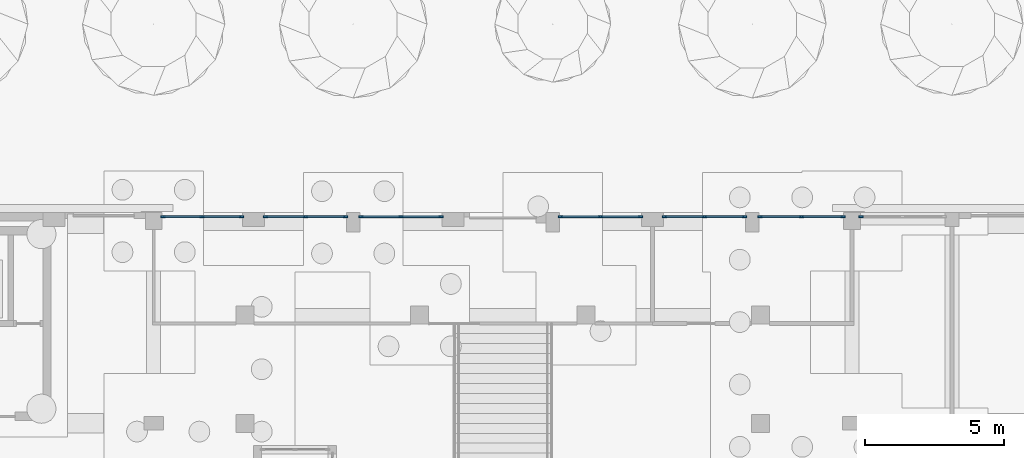
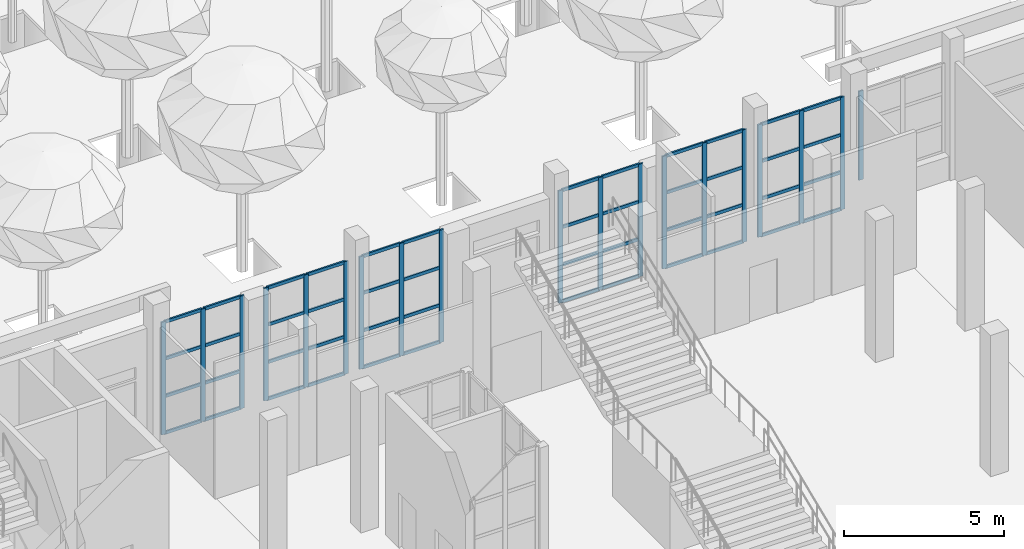
# One storey, part 14 of 80: 67 members, 7 elements without a shape of their own.
"""IFC4 building model written with IfcOpenShell, lengths in metres."""

import ifcopenshell
import ifcopenshell.guid

model = None  # the IFC model being written
_history = None  # IfcOwnerHistory: only IFC2X3 demands one
_inside = {}  # id of a spatial element -> (the spatial element, [elements in it])
_under = {}  # id of a project, library or spatial element -> (it, [spatial elements below it])
_declared = {}  # id of a project -> (the project, [libraries it declares])
_typed = {}  # id of a type object -> (the type object, [elements of that type])
_made_of = {}  # id of a material, layer set ... -> (it, [elements and type objects made of it])


def new_model(schema):
    """Start an empty IFC model of exactly this schema.

    Asked for "IFC4X3", IfcOpenShell would pick the latest addendum, in which some entities
    have other attributes; the version numbers below select the first issue.
    IFC2X3 requires an IfcOwnerHistory on every rooted entity: one is made here for all.
    """
    global model, _history
    if schema == "IFC4X3":
        model = ifcopenshell.file(schema_version=(4, 3, 0, 0))
    else:
        model = ifcopenshell.file(schema=schema)
    _inside.clear()
    _under.clear()
    _declared.clear()
    _typed.clear()
    _made_of.clear()
    _history = None
    if model.schema == "IFC2X3":
        org = make("IfcOrganization", Name="unknown")
        user = make(
            "IfcPersonAndOrganization",
            ThePerson=make("IfcPerson", FamilyName="unknown"),
            TheOrganization=org,
        )
        app = make(
            "IfcApplication",
            ApplicationDeveloper=org,
            Version="unknown",
            ApplicationFullName="unknown",
            ApplicationIdentifier="unknown",
        )
        _history = make(
            "IfcOwnerHistory",
            OwningUser=user,
            OwningApplication=app,
            ChangeAction="ADDED",
            CreationDate=0,
        )
    return model


def make(cls, **values):
    """One entity of the class cls with the attributes given. An attribute that is None is left unset."""
    return model.create_entity(
        cls, **{name: value for name, value in values.items() if value is not None}
    )


def rooted(cls, **values):
    """An entity with a GlobalId (a new one), such as an element, a storey or a relation."""
    return make(cls, GlobalId=ifcopenshell.guid.new(), OwnerHistory=_history, **values)


def si_unit(unit_type, name, prefix=None):
    """IfcSIUnit, for example si_unit("LENGTHUNIT", "METRE", prefix="MILLI")."""
    return make("IfcSIUnit", UnitType=unit_type, Prefix=prefix, Name=name)


def assignment(units):
    """IfcUnitAssignment: the units of a project."""
    return None if units is None else make("IfcUnitAssignment", Units=units)


def point(xyz):
    """IfcCartesianPoint."""
    return None if xyz is None else make("IfcCartesianPoint", Coordinates=xyz)


def direction(xyz):
    """IfcDirection."""
    return None if xyz is None else make("IfcDirection", DirectionRatios=xyz)


def frame(location, z_axis=None, x_axis=None):
    """IfcAxis2Placement3D, a coordinate frame: its origin and axes. An axis left out is left unset."""
    return make(
        "IfcAxis2Placement3D",
        Location=point(location),
        Axis=direction(z_axis),
        RefDirection=direction(x_axis),
    )


def frame_2d(location, x_axis=None):
    """IfcAxis2Placement2D, a coordinate frame in the plane: its origin and x axis."""
    return make(
        "IfcAxis2Placement2D", Location=point(location), RefDirection=direction(x_axis)
    )


def origin():
    """The frame at (0, 0, 0) with its axes left unset."""
    return frame((0.0, 0.0, 0.0))


def origin_2d():
    """The frame at (0, 0) in the plane with its x axis left unset."""
    return frame_2d((0.0, 0.0))


def place(relative_to, where):
    """IfcLocalPlacement: puts the frame where relative to a parent placement (None: the world)."""
    return make(
        "IfcLocalPlacement", PlacementRelTo=relative_to, RelativePlacement=where
    )


def context(
    kind, dimensions, precision=None, world=None, true_north=None, identifier=None
):
    """IfcGeometricRepresentationContext, for example the 3D "Model" context."""
    return make(
        "IfcGeometricRepresentationContext",
        ContextIdentifier=identifier,
        ContextType=kind,
        CoordinateSpaceDimension=dimensions,
        Precision=precision,
        WorldCoordinateSystem=world,
        TrueNorth=true_north,
    )


def subcontext(parent, identifier, kind, view, scale=None):
    """IfcGeometricRepresentationSubContext, for example "Body" below "Model"."""
    return make(
        "IfcGeometricRepresentationSubContext",
        ContextIdentifier=identifier,
        ContextType=kind,
        ParentContext=parent,
        TargetScale=scale,
        TargetView=view,
    )


def project(units=None, contexts=None):
    """IfcProject with its units and contexts."""
    return rooted(
        "IfcProject",
        Name="project",
        RepresentationContexts=contexts,
        UnitsInContext=assignment(units),
    )


def spatial(cls, under=None, at=None, **own):
    """A site, building, storey or space (cls), placed at a placement, below another one or the project."""
    s = rooted(cls, ObjectPlacement=at, **own)
    if under is not None:
        _under.setdefault(under.id(), (under, []))[1].append(s)
    return s


def profile(cls, at=None, kind="AREA", **sizes):
    """A parametric profile (cls). Its sizes go by their IFC names, for example OverallWidth=200.0."""
    return make(cls, ProfileType=kind, Position=at, **sizes)


def rectangle(**sizes):
    """IfcRectangleProfileDef."""
    return profile("IfcRectangleProfileDef", **sizes)


def extrude(swept, where, along, depth):
    """IfcExtrudedAreaSolid: the profile swept, set in the frame where, extruded along a direction by depth."""
    return make(
        "IfcExtrudedAreaSolid",
        SweptArea=swept,
        Position=where,
        ExtrudedDirection=direction(along),
        Depth=depth,
    )


def shape(context_of_items, identifier, shape_type, items):
    """IfcShapeRepresentation: the items that make up one representation, for example the "Body"."""
    return make(
        "IfcShapeRepresentation",
        ContextOfItems=context_of_items,
        RepresentationIdentifier=identifier,
        RepresentationType=shape_type,
        Items=items,
    )


def material(Name=None, Category=None):
    """IfcMaterial."""
    return make("IfcMaterial", Name=Name, Category=Category)


def layer(
    of_material, thickness, ventilated=None, Name=None, Category=None, Priority=None
):
    """IfcMaterialLayer: one layer of a wall or slab, of a material (None: an air gap)."""
    return make(
        "IfcMaterialLayer",
        Material=of_material,
        LayerThickness=thickness,
        IsVentilated=ventilated,
        Name=Name,
        Category=Category,
        Priority=Priority,
    )


def layer_set(layers, Name=None):
    """IfcMaterialLayerSet."""
    return make("IfcMaterialLayerSet", MaterialLayers=layers, LayerSetName=Name)


def material_profile(
    of_material, cross_section, Name=None, Category=None, Priority=None
):
    """IfcMaterialProfile: a cross section and its material."""
    return make(
        "IfcMaterialProfile",
        Name=Name,
        Material=of_material,
        Profile=cross_section,
        Priority=Priority,
        Category=Category,
    )


def profile_set(profiles, Name=None, composite=None):
    """IfcMaterialProfileSet."""
    return make(
        "IfcMaterialProfileSet",
        Name=Name,
        MaterialProfiles=profiles,
        CompositeProfile=composite,
    )


def made_of(thing, what):
    """Note that an element or type object is made of a material, layer set ...; save() writes the relation."""
    if what is not None:
        _made_of.setdefault(what.id(), (what, []))[1].append(thing)
    return thing


def type_object(cls, material=None, **own):
    """A type object (cls), such as IfcWallType, which elements share."""
    return made_of(rooted(cls, **own), material)


def element(
    cls,
    number,
    at=None,
    inside=None,
    cuts=None,
    type_object=None,
    material=None,
    context=None,
    identifier="Body",
    shape_type=None,
    held_by="IfcProductDefinitionShape",
    body=None,
    shapes=None,
    **own,
):
    """One element of the class cls, such as IfcWall. Its Tag is "e" and its number.

    at: its placement. inside: the storey or other place that contains it. cuts: it is an
    opening in that element (IfcRelVoidsElement). A single representation is given by context,
    identifier, shape_type and body (its items); several are given by shapes. held_by: the class
    of the entity that holds the representations. save() writes the other relations.
    """
    e = rooted(cls, Tag="e%d" % number, ObjectPlacement=at, **own)
    if body is not None:
        shapes = [shape(context, identifier, shape_type, body)]
    if shapes is not None:
        e.Representation = make(held_by, Representations=shapes)
    if inside is not None:
        _inside.setdefault(inside.id(), (inside, []))[1].append(e)
    if cuts is not None:
        rooted(
            "IfcRelVoidsElement", RelatingBuildingElement=cuts, RelatedOpeningElement=e
        )
    if type_object is not None:
        _typed.setdefault(type_object.id(), (type_object, []))[1].append(e)
    return made_of(e, material)


def aggregate(whole, parts):
    """IfcRelAggregates: a whole, such as a stair, and the parts it consists of."""
    return rooted("IfcRelAggregates", RelatingObject=whole, RelatedObjects=parts)


def save(model, path):
    """Write the relations noted so far, then the file.

    IfcRelAggregates (storeys below a building ...), IfcRelContainedInSpatialStructure (elements
    in a storey), IfcRelDefinesByType, IfcRelAssociatesMaterial and IfcRelDeclares: one each for
    every whole, place, type object, material and project.
    """
    for whole, parts in _under.values():
        aggregate(whole, parts)
    for where, things in _inside.values():
        rooted(
            "IfcRelContainedInSpatialStructure",
            RelatedElements=things,
            RelatingStructure=where,
        )
    for kind, things in _typed.values():
        rooted("IfcRelDefinesByType", RelatedObjects=things, RelatingType=kind)
    for what, things in _made_of.values():
        rooted("IfcRelAssociatesMaterial", RelatedObjects=things, RelatingMaterial=what)
    for by, libraries in _declared.values():
        rooted("IfcRelDeclares", RelatingContext=by, RelatedDefinitions=libraries)
    model.write(path)


model = new_model("IFC4")

# Units and contexts
model_context = context("Model", 3, precision=1e-05, world=origin(), true_north=direction((0.0, 1.0)))
body_context = subcontext(model_context, "Body", "Model", "MODEL_VIEW")
ifc_project = project(units=[si_unit("LENGTHUNIT", "METRE"), si_unit("AREAUNIT", "SQUARE_METRE"), si_unit("VOLUMEUNIT", "CUBIC_METRE"), si_unit("PLANEANGLEUNIT", "RADIAN"), si_unit("MASSUNIT", "GRAM", prefix="KILO")], contexts=[model_context])

# Site, building, storey
site_placement = place(None, origin())
site = spatial("IfcSite", under=ifc_project, at=site_placement, CompositionType="ELEMENT")
building_placement = place(site_placement, origin())
building = spatial("IfcBuilding", under=site, at=building_placement, Name="Ussher Court Research Institute", CompositionType="ELEMENT")
storey_placement = place(building_placement, origin())
storey = spatial("IfcBuildingStorey", under=building, at=storey_placement, Name="L00", CompositionType="ELEMENT", Elevation=0.0)

# Curtain wall, members
ifc_material_1 = material(Name="Bronze anodised aluminium with low-e glass", Category="aluminium")
ifc_layer_1 = layer(ifc_material_1, 0.1201171875)
ifc_layer_set_1 = layer_set([ifc_layer_1], Name="Bronze anodised aluminium with low-e glass")
curtain_wall_type_1 = type_object("IfcCurtainWallType", Name="Curtain wall atrium clear glazing", PredefinedType="NOTDEFINED", material=ifc_layer_set_1)
curtain_wall_1_placement = place(storey_placement, origin())
curtain_wall_1 = element("IfcCurtainWall", 1, at=curtain_wall_1_placement, inside=storey, type_object=curtain_wall_type_1, Name="Curtain wall CW2 L00", PredefinedType="NOTDEFINED")
ifc_material_2 = material(Name="Bronze anodised aluminium", Category="aluminium")
ifc_material_profile_1 = material_profile(ifc_material_2, rectangle(XDim=0.06005859375, YDim=0.159912109375, at=origin_2d()), Name="Mullion 60x160")
ifc_profile_set_1 = profile_set([ifc_material_profile_1], Name="Bronze anodised aluminium")
member_type_1 = type_object("IfcMemberType", Name="Mullion 60x160", PredefinedType="MULLION", material=ifc_profile_set_1)
member_1_placement = place(storey_placement, frame((39.330078125, 40.25, 0.0), z_axis=(0.0, 0.0, 1.0), x_axis=(0.0, 1.0, 0.0)))
member_1 = element("IfcMember", 2, at=member_1_placement, type_object=member_type_1, Name="CW2 mullion 1", PredefinedType="MULLION", context=body_context, shape_type="SweptSolid", body=[
    extrude(rectangle(XDim=0.06005859375, YDim=0.159912109375, at=origin_2d()), origin(), (0.0, 0.0, 1.0), 4.300048828125),
])
member_2_placement = place(storey_placement, frame((40.75, 40.25, 0.0), z_axis=(0.0, 0.0, 1.0), x_axis=(0.0, 1.0, 0.0)))
member_2 = element("IfcMember", 3, at=member_2_placement, type_object=member_type_1, Name="CW2 mullion 2", PredefinedType="MULLION", context=body_context, shape_type="SweptSolid", body=[
    extrude(rectangle(XDim=0.06005859375, YDim=0.159912109375, at=origin_2d()), origin(), (0.0, 0.0, 1.0), 4.300048828125),
])
member_3_placement = place(storey_placement, frame((42.169921875, 40.25, 0.0), z_axis=(0.0, 0.0, 1.0), x_axis=(0.0, 1.0, 0.0)))
member_3 = element("IfcMember", 4, at=member_3_placement, type_object=member_type_1, Name="CW2 mullion 3", PredefinedType="MULLION", context=body_context, shape_type="SweptSolid", body=[
    extrude(rectangle(XDim=0.06005859375, YDim=0.159912109375, at=origin_2d()), origin(), (0.0, 0.0, 1.0), 4.300048828125),
])

curtain_wall_2_placement = place(storey_placement, origin())
curtain_wall_2 = element("IfcCurtainWall", 5, at=curtain_wall_2_placement, inside=storey, type_object=curtain_wall_type_1, Name="Curtain wall CW2 L00", PredefinedType="NOTDEFINED")
member_4_placement = place(storey_placement, frame((43.030029296875, 40.25, 0.0), z_axis=(0.0, 0.0, 1.0), x_axis=(0.0, 1.0, 0.0)))
member_4 = element("IfcMember", 6, at=member_4_placement, type_object=member_type_1, Name="CW2 mullion 1", PredefinedType="MULLION", context=body_context, shape_type="SweptSolid", body=[
    extrude(rectangle(XDim=0.06005859375, YDim=0.159912109375, at=origin_2d()), origin(), (0.0, 0.0, 1.0), 4.300048828125),
])
member_5_placement = place(storey_placement, frame((44.47509765625, 40.25, 0.0), z_axis=(0.0, 0.0, 1.0), x_axis=(0.0, 1.0, 0.0)))
member_5 = element("IfcMember", 7, at=member_5_placement, type_object=member_type_1, Name="CW2 mullion 2", PredefinedType="MULLION", context=body_context, shape_type="SweptSolid", body=[
    extrude(rectangle(XDim=0.06005859375, YDim=0.159912109375, at=origin_2d()), origin(), (0.0, 0.0, 1.0), 4.300048828125),
])
member_6_placement = place(storey_placement, frame((45.919921875, 40.25, 0.0), z_axis=(0.0, 0.0, 1.0), x_axis=(0.0, 1.0, 0.0)))
member_6 = element("IfcMember", 8, at=member_6_placement, type_object=member_type_1, Name="CW2 mullion 3", PredefinedType="MULLION", context=body_context, shape_type="SweptSolid", body=[
    extrude(rectangle(XDim=0.06005859375, YDim=0.159912109375, at=origin_2d()), origin(), (0.0, 0.0, 1.0), 4.300048828125),
])

ifc_material_3 = material(Name="Bronze anodised aluminium with toughened glass", Category="aluminium")
ifc_layer_2 = layer(ifc_material_3, 0.10009765625)
ifc_layer_set_2 = layer_set([ifc_layer_2], Name="Bronze anodised aluminium with toughened glass")
curtain_wall_type_2 = type_object("IfcCurtainWallType", Name="Curtain wall entrance sidelight screen", PredefinedType="NOTDEFINED", material=ifc_layer_set_2)
curtain_wall_3_placement = place(storey_placement, origin())
curtain_wall_3 = element("IfcCurtainWall", 9, at=curtain_wall_3_placement, inside=storey, type_object=curtain_wall_type_2, Name="Curtain wall CW10 L00", PredefinedType="NOTDEFINED")
member_7_placement = place(storey_placement, frame((46.47998046875, 40.25, 0.0), z_axis=(0.0, 0.0, 1.0), x_axis=(0.0, 1.0, 0.0)))
member_7 = element("IfcMember", 10, at=member_7_placement, type_object=member_type_1, Name="CW10 mullion 1", PredefinedType="MULLION", context=body_context, shape_type="SweptSolid", body=[
    extrude(rectangle(XDim=0.06005859375, YDim=0.159912109375, at=origin_2d()), origin(), (0.0, 0.0, 1.0), 4.300048828125),
])
member_8_placement = place(storey_placement, frame((47.925048828125, 40.25, 0.0), z_axis=(0.0, 0.0, 1.0), x_axis=(0.0, 1.0, 0.0)))
member_8 = element("IfcMember", 11, at=member_8_placement, type_object=member_type_1, Name="CW10 mullion 2", PredefinedType="MULLION", context=body_context, shape_type="SweptSolid", body=[
    extrude(rectangle(XDim=0.06005859375, YDim=0.159912109375, at=origin_2d()), origin(), (0.0, 0.0, 1.0), 4.300048828125),
])
member_9_placement = place(storey_placement, frame((49.3701171875, 40.25, 0.0), z_axis=(0.0, 0.0, 1.0), x_axis=(0.0, 1.0, 0.0)))
member_9 = element("IfcMember", 12, at=member_9_placement, type_object=member_type_1, Name="CW10 mullion 3", PredefinedType="MULLION", context=body_context, shape_type="SweptSolid", body=[
    extrude(rectangle(XDim=0.06005859375, YDim=0.159912109375, at=origin_2d()), origin(), (0.0, 0.0, 1.0), 4.300048828125),
])

curtain_wall_4_placement = place(storey_placement, origin())
curtain_wall_4 = element("IfcCurtainWall", 13, at=curtain_wall_4_placement, inside=storey, type_object=curtain_wall_type_2, Name="Curtain wall CW10 L00", PredefinedType="NOTDEFINED")
member_10_placement = place(storey_placement, frame((53.679931640625, 40.25, 0.0), z_axis=(0.0, 0.0, 1.0), x_axis=(0.0, 1.0, 0.0)))
member_10 = element("IfcMember", 14, at=member_10_placement, type_object=member_type_1, Name="CW10 mullion 1", PredefinedType="MULLION", context=body_context, shape_type="SweptSolid", body=[
    extrude(rectangle(XDim=0.06005859375, YDim=0.159912109375, at=origin_2d()), origin(), (0.0, 0.0, 1.0), 4.300048828125),
])
member_11_placement = place(storey_placement, frame((55.125, 40.25, 0.0), z_axis=(0.0, 0.0, 1.0), x_axis=(0.0, 1.0, 0.0)))
member_11 = element("IfcMember", 15, at=member_11_placement, type_object=member_type_1, Name="CW10 mullion 2", PredefinedType="MULLION", context=body_context, shape_type="SweptSolid", body=[
    extrude(rectangle(XDim=0.06005859375, YDim=0.159912109375, at=origin_2d()), origin(), (0.0, 0.0, 1.0), 4.300048828125),
])
member_12_placement = place(storey_placement, frame((56.570068359375, 40.25, 0.0), z_axis=(0.0, 0.0, 1.0), x_axis=(0.0, 1.0, 0.0)))
member_12 = element("IfcMember", 16, at=member_12_placement, type_object=member_type_1, Name="CW10 mullion 3", PredefinedType="MULLION", context=body_context, shape_type="SweptSolid", body=[
    extrude(rectangle(XDim=0.06005859375, YDim=0.159912109375, at=origin_2d()), origin(), (0.0, 0.0, 1.0), 4.300048828125),
])

curtain_wall_5_placement = place(storey_placement, origin())
curtain_wall_5 = element("IfcCurtainWall", 17, at=curtain_wall_5_placement, inside=storey, type_object=curtain_wall_type_1, Name="Curtain wall CW2 L00", PredefinedType="NOTDEFINED")
member_13_placement = place(storey_placement, frame((57.429931640625, 40.25, 0.0), z_axis=(0.0, 0.0, 1.0), x_axis=(0.0, 1.0, 0.0)))
member_13 = element("IfcMember", 18, at=member_13_placement, type_object=member_type_1, Name="CW2 mullion 1", PredefinedType="MULLION", context=body_context, shape_type="SweptSolid", body=[
    extrude(rectangle(XDim=0.06005859375, YDim=0.159912109375, at=origin_2d()), origin(), (0.0, 0.0, 1.0), 4.300048828125),
])
member_14_placement = place(storey_placement, frame((58.875, 40.25, 0.0), z_axis=(0.0, 0.0, 1.0), x_axis=(0.0, 1.0, 0.0)))
member_14 = element("IfcMember", 19, at=member_14_placement, type_object=member_type_1, Name="CW2 mullion 2", PredefinedType="MULLION", context=body_context, shape_type="SweptSolid", body=[
    extrude(rectangle(XDim=0.06005859375, YDim=0.159912109375, at=origin_2d()), origin(), (0.0, 0.0, 1.0), 4.300048828125),
])
member_15_placement = place(storey_placement, frame((60.320068359375, 40.25, 0.0), z_axis=(0.0, 0.0, 1.0), x_axis=(0.0, 1.0, 0.0)))
member_15 = element("IfcMember", 20, at=member_15_placement, type_object=member_type_1, Name="CW2 mullion 3", PredefinedType="MULLION", context=body_context, shape_type="SweptSolid", body=[
    extrude(rectangle(XDim=0.06005859375, YDim=0.159912109375, at=origin_2d()), origin(), (0.0, 0.0, 1.0), 4.300048828125),
])

curtain_wall_6_placement = place(storey_placement, origin())
curtain_wall_6 = element("IfcCurtainWall", 21, at=curtain_wall_6_placement, inside=storey, type_object=curtain_wall_type_1, Name="Curtain wall CW2 L00", PredefinedType="NOTDEFINED")
member_16_placement = place(storey_placement, frame((60.8798828125, 40.25, 0.0), z_axis=(0.0, 0.0, 1.0), x_axis=(0.0, 1.0, 0.0)))
member_16 = element("IfcMember", 22, at=member_16_placement, type_object=member_type_1, Name="CW2 mullion 1", PredefinedType="MULLION", context=body_context, shape_type="SweptSolid", body=[
    extrude(rectangle(XDim=0.06005859375, YDim=0.159912109375, at=origin_2d()), origin(), (0.0, 0.0, 1.0), 4.300048828125),
])
member_17_placement = place(storey_placement, frame((62.375, 40.25, 0.0), z_axis=(0.0, 0.0, 1.0), x_axis=(0.0, 1.0, 0.0)))
member_17 = element("IfcMember", 23, at=member_17_placement, type_object=member_type_1, Name="CW2 mullion 2", PredefinedType="MULLION", context=body_context, shape_type="SweptSolid", body=[
    extrude(rectangle(XDim=0.06005859375, YDim=0.159912109375, at=origin_2d()), origin(), (0.0, 0.0, 1.0), 4.300048828125),
])
member_18_placement = place(storey_placement, frame((63.8701171875, 40.25, 0.0), z_axis=(0.0, 0.0, 1.0), x_axis=(0.0, 1.0, 0.0)))
member_18 = element("IfcMember", 24, at=member_18_placement, type_object=member_type_1, Name="CW2 mullion 3", PredefinedType="MULLION", context=body_context, shape_type="SweptSolid", body=[
    extrude(rectangle(XDim=0.06005859375, YDim=0.159912109375, at=origin_2d()), origin(), (0.0, 0.0, 1.0), 4.300048828125),
])

# Curtain wall, member
ifc_material_4 = material(Name="Bronze anodised aluminium with acoustic laminated glass", Category="aluminium")
ifc_layer_3 = layer(ifc_material_4, 0.1201171875)
ifc_layer_set_3 = layer_set([ifc_layer_3], Name="Bronze anodised aluminium with acoustic laminated glass")
curtain_wall_type_3 = type_object("IfcCurtainWallType", Name="Curtain wall reading link court front ground floor", PredefinedType="NOTDEFINED", material=ifc_layer_set_3)
curtain_wall_7_placement = place(storey_placement, origin())
curtain_wall_7 = element("IfcCurtainWall", 25, at=curtain_wall_7_placement, inside=storey, type_object=curtain_wall_type_3, Name="Curtain wall CW6 L00", PredefinedType="NOTDEFINED")
member_19_placement = place(storey_placement, frame((64.530029296875, 40.25, 0.89990234375), z_axis=(0.0, 0.0, 1.0), x_axis=(0.0, 1.0, 0.0)))
member_19 = element("IfcMember", 26, at=member_19_placement, type_object=member_type_1, Name="CW6 mullion 1", PredefinedType="MULLION", context=body_context, shape_type="SweptSolid", body=[
    extrude(rectangle(XDim=0.06005859375, YDim=0.159912109375, at=origin_2d()), origin(), (0.0, 0.0, 1.0), 3.400146484375),
])
aggregate(curtain_wall_7, [member_19])

# Member
ifc_material_5 = material(Name="Bronze anodised aluminium", Category="aluminium")
ifc_material_profile_2 = material_profile(ifc_material_5, rectangle(XDim=0.06005859375, YDim=0.1201171875, at=origin_2d()), Name="Transom 60x120")
ifc_profile_set_2 = profile_set([ifc_material_profile_2], Name="Bronze anodised aluminium")
member_type_2 = type_object("IfcMemberType", Name="Transom 60x120", PredefinedType="USERDEFINED", material=ifc_profile_set_2)
member_20_placement = place(storey_placement, frame((39.360107421875, 40.25, 0.030029296875), z_axis=(1.0, 0.0, 0.0), x_axis=(0.0, 1.0, 0.0)))
member_20 = element("IfcMember", 27, at=member_20_placement, type_object=member_type_2, Name="CW2 transom 1.1", ObjectType="TRANSOM", PredefinedType="USERDEFINED", context=body_context, shape_type="SweptSolid", body=[
    extrude(rectangle(XDim=0.06005859375, YDim=0.1201171875, at=origin_2d()), origin(), (0.0, 0.0, 1.0), 1.35986328125),
])

member_21_placement = place(storey_placement, frame((39.360107421875, 40.25, 1.433349609375), z_axis=(1.0, 0.0, 0.0), x_axis=(0.0, 1.0, 0.0)))
member_21 = element("IfcMember", 28, at=member_21_placement, type_object=member_type_2, Name="CW2 transom 1.2", ObjectType="TRANSOM", PredefinedType="USERDEFINED", context=body_context, shape_type="SweptSolid", body=[
    extrude(rectangle(XDim=0.06005859375, YDim=0.1201171875, at=origin_2d()), origin(), (0.0, 0.0, 1.0), 1.35986328125),
])

member_22_placement = place(storey_placement, frame((39.360107421875, 40.25, 2.86669921875), z_axis=(1.0, 0.0, 0.0), x_axis=(0.0, 1.0, 0.0)))
member_22 = element("IfcMember", 29, at=member_22_placement, type_object=member_type_2, Name="CW2 transom 1.3", ObjectType="TRANSOM", PredefinedType="USERDEFINED", context=body_context, shape_type="SweptSolid", body=[
    extrude(rectangle(XDim=0.06005859375, YDim=0.1201171875, at=origin_2d()), origin(), (0.0, 0.0, 1.0), 1.35986328125),
])

member_23_placement = place(storey_placement, frame((39.360107421875, 40.25, 4.27001953125), z_axis=(1.0, 0.0, 0.0), x_axis=(0.0, 1.0, 0.0)))
member_23 = element("IfcMember", 30, at=member_23_placement, type_object=member_type_2, Name="CW2 transom 1.4", ObjectType="TRANSOM", PredefinedType="USERDEFINED", context=body_context, shape_type="SweptSolid", body=[
    extrude(rectangle(XDim=0.06005859375, YDim=0.1201171875, at=origin_2d()), origin(), (0.0, 0.0, 1.0), 1.35986328125),
])

member_24_placement = place(storey_placement, frame((40.780029296875, 40.25, 0.030029296875), z_axis=(1.0, 0.0, 0.0), x_axis=(0.0, 1.0, 0.0)))
member_24 = element("IfcMember", 31, at=member_24_placement, type_object=member_type_2, Name="CW2 transom 2.1", ObjectType="TRANSOM", PredefinedType="USERDEFINED", context=body_context, shape_type="SweptSolid", body=[
    extrude(rectangle(XDim=0.06005859375, YDim=0.1201171875, at=origin_2d()), origin(), (0.0, 0.0, 1.0), 1.35986328125),
])

member_25_placement = place(storey_placement, frame((40.780029296875, 40.25, 1.433349609375), z_axis=(1.0, 0.0, 0.0), x_axis=(0.0, 1.0, 0.0)))
member_25 = element("IfcMember", 32, at=member_25_placement, type_object=member_type_2, Name="CW2 transom 2.2", ObjectType="TRANSOM", PredefinedType="USERDEFINED", context=body_context, shape_type="SweptSolid", body=[
    extrude(rectangle(XDim=0.06005859375, YDim=0.1201171875, at=origin_2d()), origin(), (0.0, 0.0, 1.0), 1.35986328125),
])

member_26_placement = place(storey_placement, frame((40.780029296875, 40.25, 2.86669921875), z_axis=(1.0, 0.0, 0.0), x_axis=(0.0, 1.0, 0.0)))
member_26 = element("IfcMember", 33, at=member_26_placement, type_object=member_type_2, Name="CW2 transom 2.3", ObjectType="TRANSOM", PredefinedType="USERDEFINED", context=body_context, shape_type="SweptSolid", body=[
    extrude(rectangle(XDim=0.06005859375, YDim=0.1201171875, at=origin_2d()), origin(), (0.0, 0.0, 1.0), 1.35986328125),
])

member_27_placement = place(storey_placement, frame((40.780029296875, 40.25, 4.27001953125), z_axis=(1.0, 0.0, 0.0), x_axis=(0.0, 1.0, 0.0)))
member_27 = element("IfcMember", 34, at=member_27_placement, type_object=member_type_2, Name="CW2 transom 2.4", ObjectType="TRANSOM", PredefinedType="USERDEFINED", context=body_context, shape_type="SweptSolid", body=[
    extrude(rectangle(XDim=0.06005859375, YDim=0.1201171875, at=origin_2d()), origin(), (0.0, 0.0, 1.0), 1.35986328125),
])

aggregate(curtain_wall_1, [member_1, member_2, member_3, member_20, member_21, member_22, member_23, member_24, member_25, member_26, member_27])

member_28_placement = place(storey_placement, frame((43.06005859375, 40.25, 0.030029296875), z_axis=(1.0, 0.0, 0.0), x_axis=(0.0, 1.0, 0.0)))
member_28 = element("IfcMember", 35, at=member_28_placement, type_object=member_type_2, Name="CW2 transom 1.1", ObjectType="TRANSOM", PredefinedType="USERDEFINED", context=body_context, shape_type="SweptSolid", body=[
    extrude(rectangle(XDim=0.06005859375, YDim=0.1201171875, at=origin_2d()), origin(), (0.0, 0.0, 1.0), 1.385009765625),
])

member_29_placement = place(storey_placement, frame((43.06005859375, 40.25, 1.433349609375), z_axis=(1.0, 0.0, 0.0), x_axis=(0.0, 1.0, 0.0)))
member_29 = element("IfcMember", 36, at=member_29_placement, type_object=member_type_2, Name="CW2 transom 1.2", ObjectType="TRANSOM", PredefinedType="USERDEFINED", context=body_context, shape_type="SweptSolid", body=[
    extrude(rectangle(XDim=0.06005859375, YDim=0.1201171875, at=origin_2d()), origin(), (0.0, 0.0, 1.0), 1.385009765625),
])

member_30_placement = place(storey_placement, frame((43.06005859375, 40.25, 2.86669921875), z_axis=(1.0, 0.0, 0.0), x_axis=(0.0, 1.0, 0.0)))
member_30 = element("IfcMember", 37, at=member_30_placement, type_object=member_type_2, Name="CW2 transom 1.3", ObjectType="TRANSOM", PredefinedType="USERDEFINED", context=body_context, shape_type="SweptSolid", body=[
    extrude(rectangle(XDim=0.06005859375, YDim=0.1201171875, at=origin_2d()), origin(), (0.0, 0.0, 1.0), 1.385009765625),
])

member_31_placement = place(storey_placement, frame((43.06005859375, 40.25, 4.27001953125), z_axis=(1.0, 0.0, 0.0), x_axis=(0.0, 1.0, 0.0)))
member_31 = element("IfcMember", 38, at=member_31_placement, type_object=member_type_2, Name="CW2 transom 1.4", ObjectType="TRANSOM", PredefinedType="USERDEFINED", context=body_context, shape_type="SweptSolid", body=[
    extrude(rectangle(XDim=0.06005859375, YDim=0.1201171875, at=origin_2d()), origin(), (0.0, 0.0, 1.0), 1.385009765625),
])

member_32_placement = place(storey_placement, frame((44.5048828125, 40.25, 0.030029296875), z_axis=(1.0, 0.0, 0.0), x_axis=(0.0, 1.0, 0.0)))
member_32 = element("IfcMember", 39, at=member_32_placement, type_object=member_type_2, Name="CW2 transom 2.1", ObjectType="TRANSOM", PredefinedType="USERDEFINED", context=body_context, shape_type="SweptSolid", body=[
    extrude(rectangle(XDim=0.06005859375, YDim=0.1201171875, at=origin_2d()), origin(), (0.0, 0.0, 1.0), 1.385009765625),
])

member_33_placement = place(storey_placement, frame((44.5048828125, 40.25, 1.433349609375), z_axis=(1.0, 0.0, 0.0), x_axis=(0.0, 1.0, 0.0)))
member_33 = element("IfcMember", 40, at=member_33_placement, type_object=member_type_2, Name="CW2 transom 2.2", ObjectType="TRANSOM", PredefinedType="USERDEFINED", context=body_context, shape_type="SweptSolid", body=[
    extrude(rectangle(XDim=0.06005859375, YDim=0.1201171875, at=origin_2d()), origin(), (0.0, 0.0, 1.0), 1.385009765625),
])

member_34_placement = place(storey_placement, frame((44.5048828125, 40.25, 2.86669921875), z_axis=(1.0, 0.0, 0.0), x_axis=(0.0, 1.0, 0.0)))
member_34 = element("IfcMember", 41, at=member_34_placement, type_object=member_type_2, Name="CW2 transom 2.3", ObjectType="TRANSOM", PredefinedType="USERDEFINED", context=body_context, shape_type="SweptSolid", body=[
    extrude(rectangle(XDim=0.06005859375, YDim=0.1201171875, at=origin_2d()), origin(), (0.0, 0.0, 1.0), 1.385009765625),
])

member_35_placement = place(storey_placement, frame((44.5048828125, 40.25, 4.27001953125), z_axis=(1.0, 0.0, 0.0), x_axis=(0.0, 1.0, 0.0)))
member_35 = element("IfcMember", 42, at=member_35_placement, type_object=member_type_2, Name="CW2 transom 2.4", ObjectType="TRANSOM", PredefinedType="USERDEFINED", context=body_context, shape_type="SweptSolid", body=[
    extrude(rectangle(XDim=0.06005859375, YDim=0.1201171875, at=origin_2d()), origin(), (0.0, 0.0, 1.0), 1.385009765625),
])

aggregate(curtain_wall_2, [member_4, member_5, member_6, member_28, member_29, member_30, member_31, member_32, member_33, member_34, member_35])

member_36_placement = place(storey_placement, frame((46.510009765625, 40.25, 0.030029296875), z_axis=(1.0, 0.0, 0.0), x_axis=(0.0, 1.0, 0.0)))
member_36 = element("IfcMember", 43, at=member_36_placement, type_object=member_type_2, Name="CW10 transom 1.1", ObjectType="TRANSOM", PredefinedType="USERDEFINED", context=body_context, shape_type="SweptSolid", body=[
    extrude(rectangle(XDim=0.06005859375, YDim=0.1201171875, at=origin_2d()), origin(), (0.0, 0.0, 1.0), 1.385009765625),
])

member_37_placement = place(storey_placement, frame((46.510009765625, 40.25, 1.433349609375), z_axis=(1.0, 0.0, 0.0), x_axis=(0.0, 1.0, 0.0)))
member_37 = element("IfcMember", 44, at=member_37_placement, type_object=member_type_2, Name="CW10 transom 1.2", ObjectType="TRANSOM", PredefinedType="USERDEFINED", context=body_context, shape_type="SweptSolid", body=[
    extrude(rectangle(XDim=0.06005859375, YDim=0.1201171875, at=origin_2d()), origin(), (0.0, 0.0, 1.0), 1.385009765625),
])

member_38_placement = place(storey_placement, frame((46.510009765625, 40.25, 2.86669921875), z_axis=(1.0, 0.0, 0.0), x_axis=(0.0, 1.0, 0.0)))
member_38 = element("IfcMember", 45, at=member_38_placement, type_object=member_type_2, Name="CW10 transom 1.3", ObjectType="TRANSOM", PredefinedType="USERDEFINED", context=body_context, shape_type="SweptSolid", body=[
    extrude(rectangle(XDim=0.06005859375, YDim=0.1201171875, at=origin_2d()), origin(), (0.0, 0.0, 1.0), 1.385009765625),
])

member_39_placement = place(storey_placement, frame((46.510009765625, 40.25, 4.27001953125), z_axis=(1.0, 0.0, 0.0), x_axis=(0.0, 1.0, 0.0)))
member_39 = element("IfcMember", 46, at=member_39_placement, type_object=member_type_2, Name="CW10 transom 1.4", ObjectType="TRANSOM", PredefinedType="USERDEFINED", context=body_context, shape_type="SweptSolid", body=[
    extrude(rectangle(XDim=0.06005859375, YDim=0.1201171875, at=origin_2d()), origin(), (0.0, 0.0, 1.0), 1.385009765625),
])

member_40_placement = place(storey_placement, frame((47.955078125, 40.25, 0.030029296875), z_axis=(1.0, 0.0, 0.0), x_axis=(0.0, 1.0, 0.0)))
member_40 = element("IfcMember", 47, at=member_40_placement, type_object=member_type_2, Name="CW10 transom 2.1", ObjectType="TRANSOM", PredefinedType="USERDEFINED", context=body_context, shape_type="SweptSolid", body=[
    extrude(rectangle(XDim=0.06005859375, YDim=0.1201171875, at=origin_2d()), origin(), (0.0, 0.0, 1.0), 1.385009765625),
])

member_41_placement = place(storey_placement, frame((47.955078125, 40.25, 1.433349609375), z_axis=(1.0, 0.0, 0.0), x_axis=(0.0, 1.0, 0.0)))
member_41 = element("IfcMember", 48, at=member_41_placement, type_object=member_type_2, Name="CW10 transom 2.2", ObjectType="TRANSOM", PredefinedType="USERDEFINED", context=body_context, shape_type="SweptSolid", body=[
    extrude(rectangle(XDim=0.06005859375, YDim=0.1201171875, at=origin_2d()), origin(), (0.0, 0.0, 1.0), 1.385009765625),
])

member_42_placement = place(storey_placement, frame((47.955078125, 40.25, 2.86669921875), z_axis=(1.0, 0.0, 0.0), x_axis=(0.0, 1.0, 0.0)))
member_42 = element("IfcMember", 49, at=member_42_placement, type_object=member_type_2, Name="CW10 transom 2.3", ObjectType="TRANSOM", PredefinedType="USERDEFINED", context=body_context, shape_type="SweptSolid", body=[
    extrude(rectangle(XDim=0.06005859375, YDim=0.1201171875, at=origin_2d()), origin(), (0.0, 0.0, 1.0), 1.385009765625),
])

member_43_placement = place(storey_placement, frame((47.955078125, 40.25, 4.27001953125), z_axis=(1.0, 0.0, 0.0), x_axis=(0.0, 1.0, 0.0)))
member_43 = element("IfcMember", 50, at=member_43_placement, type_object=member_type_2, Name="CW10 transom 2.4", ObjectType="TRANSOM", PredefinedType="USERDEFINED", context=body_context, shape_type="SweptSolid", body=[
    extrude(rectangle(XDim=0.06005859375, YDim=0.1201171875, at=origin_2d()), origin(), (0.0, 0.0, 1.0), 1.385009765625),
])

aggregate(curtain_wall_3, [member_7, member_8, member_9, member_36, member_37, member_38, member_39, member_40, member_41, member_42, member_43])

member_44_placement = place(storey_placement, frame((53.7099609375, 40.25, 0.030029296875), z_axis=(1.0, 0.0, 0.0), x_axis=(0.0, 1.0, 0.0)))
member_44 = element("IfcMember", 51, at=member_44_placement, type_object=member_type_2, Name="CW10 transom 1.1", ObjectType="TRANSOM", PredefinedType="USERDEFINED", context=body_context, shape_type="SweptSolid", body=[
    extrude(rectangle(XDim=0.06005859375, YDim=0.1201171875, at=origin_2d()), origin(), (0.0, 0.0, 1.0), 1.385009765625),
])

member_45_placement = place(storey_placement, frame((53.7099609375, 40.25, 1.433349609375), z_axis=(1.0, 0.0, 0.0), x_axis=(0.0, 1.0, 0.0)))
member_45 = element("IfcMember", 52, at=member_45_placement, type_object=member_type_2, Name="CW10 transom 1.2", ObjectType="TRANSOM", PredefinedType="USERDEFINED", context=body_context, shape_type="SweptSolid", body=[
    extrude(rectangle(XDim=0.06005859375, YDim=0.1201171875, at=origin_2d()), origin(), (0.0, 0.0, 1.0), 1.385009765625),
])

member_46_placement = place(storey_placement, frame((53.7099609375, 40.25, 2.86669921875), z_axis=(1.0, 0.0, 0.0), x_axis=(0.0, 1.0, 0.0)))
member_46 = element("IfcMember", 53, at=member_46_placement, type_object=member_type_2, Name="CW10 transom 1.3", ObjectType="TRANSOM", PredefinedType="USERDEFINED", context=body_context, shape_type="SweptSolid", body=[
    extrude(rectangle(XDim=0.06005859375, YDim=0.1201171875, at=origin_2d()), origin(), (0.0, 0.0, 1.0), 1.385009765625),
])

member_47_placement = place(storey_placement, frame((53.7099609375, 40.25, 4.27001953125), z_axis=(1.0, 0.0, 0.0), x_axis=(0.0, 1.0, 0.0)))
member_47 = element("IfcMember", 54, at=member_47_placement, type_object=member_type_2, Name="CW10 transom 1.4", ObjectType="TRANSOM", PredefinedType="USERDEFINED", context=body_context, shape_type="SweptSolid", body=[
    extrude(rectangle(XDim=0.06005859375, YDim=0.1201171875, at=origin_2d()), origin(), (0.0, 0.0, 1.0), 1.385009765625),
])

member_48_placement = place(storey_placement, frame((55.155029296875, 40.25, 0.030029296875), z_axis=(1.0, 0.0, 0.0), x_axis=(0.0, 1.0, 0.0)))
member_48 = element("IfcMember", 55, at=member_48_placement, type_object=member_type_2, Name="CW10 transom 2.1", ObjectType="TRANSOM", PredefinedType="USERDEFINED", context=body_context, shape_type="SweptSolid", body=[
    extrude(rectangle(XDim=0.06005859375, YDim=0.1201171875, at=origin_2d()), origin(), (0.0, 0.0, 1.0), 1.385009765625),
])

member_49_placement = place(storey_placement, frame((55.155029296875, 40.25, 1.433349609375), z_axis=(1.0, 0.0, 0.0), x_axis=(0.0, 1.0, 0.0)))
member_49 = element("IfcMember", 56, at=member_49_placement, type_object=member_type_2, Name="CW10 transom 2.2", ObjectType="TRANSOM", PredefinedType="USERDEFINED", context=body_context, shape_type="SweptSolid", body=[
    extrude(rectangle(XDim=0.06005859375, YDim=0.1201171875, at=origin_2d()), origin(), (0.0, 0.0, 1.0), 1.385009765625),
])

member_50_placement = place(storey_placement, frame((55.155029296875, 40.25, 2.86669921875), z_axis=(1.0, 0.0, 0.0), x_axis=(0.0, 1.0, 0.0)))
member_50 = element("IfcMember", 57, at=member_50_placement, type_object=member_type_2, Name="CW10 transom 2.3", ObjectType="TRANSOM", PredefinedType="USERDEFINED", context=body_context, shape_type="SweptSolid", body=[
    extrude(rectangle(XDim=0.06005859375, YDim=0.1201171875, at=origin_2d()), origin(), (0.0, 0.0, 1.0), 1.385009765625),
])

member_51_placement = place(storey_placement, frame((55.155029296875, 40.25, 4.27001953125), z_axis=(1.0, 0.0, 0.0), x_axis=(0.0, 1.0, 0.0)))
member_51 = element("IfcMember", 58, at=member_51_placement, type_object=member_type_2, Name="CW10 transom 2.4", ObjectType="TRANSOM", PredefinedType="USERDEFINED", context=body_context, shape_type="SweptSolid", body=[
    extrude(rectangle(XDim=0.06005859375, YDim=0.1201171875, at=origin_2d()), origin(), (0.0, 0.0, 1.0), 1.385009765625),
])

aggregate(curtain_wall_4, [member_10, member_11, member_12, member_44, member_45, member_46, member_47, member_48, member_49, member_50, member_51])

member_52_placement = place(storey_placement, frame((57.4599609375, 40.25, 0.030029296875), z_axis=(1.0, 0.0, 0.0), x_axis=(0.0, 1.0, 0.0)))
member_52 = element("IfcMember", 59, at=member_52_placement, type_object=member_type_2, Name="CW2 transom 1.1", ObjectType="TRANSOM", PredefinedType="USERDEFINED", context=body_context, shape_type="SweptSolid", body=[
    extrude(rectangle(XDim=0.06005859375, YDim=0.1201171875, at=origin_2d()), origin(), (0.0, 0.0, 1.0), 1.385009765625),
])

member_53_placement = place(storey_placement, frame((57.4599609375, 40.25, 1.433349609375), z_axis=(1.0, 0.0, 0.0), x_axis=(0.0, 1.0, 0.0)))
member_53 = element("IfcMember", 60, at=member_53_placement, type_object=member_type_2, Name="CW2 transom 1.2", ObjectType="TRANSOM", PredefinedType="USERDEFINED", context=body_context, shape_type="SweptSolid", body=[
    extrude(rectangle(XDim=0.06005859375, YDim=0.1201171875, at=origin_2d()), origin(), (0.0, 0.0, 1.0), 1.385009765625),
])

member_54_placement = place(storey_placement, frame((57.4599609375, 40.25, 2.86669921875), z_axis=(1.0, 0.0, 0.0), x_axis=(0.0, 1.0, 0.0)))
member_54 = element("IfcMember", 61, at=member_54_placement, type_object=member_type_2, Name="CW2 transom 1.3", ObjectType="TRANSOM", PredefinedType="USERDEFINED", context=body_context, shape_type="SweptSolid", body=[
    extrude(rectangle(XDim=0.06005859375, YDim=0.1201171875, at=origin_2d()), origin(), (0.0, 0.0, 1.0), 1.385009765625),
])

member_55_placement = place(storey_placement, frame((57.4599609375, 40.25, 4.27001953125), z_axis=(1.0, 0.0, 0.0), x_axis=(0.0, 1.0, 0.0)))
member_55 = element("IfcMember", 62, at=member_55_placement, type_object=member_type_2, Name="CW2 transom 1.4", ObjectType="TRANSOM", PredefinedType="USERDEFINED", context=body_context, shape_type="SweptSolid", body=[
    extrude(rectangle(XDim=0.06005859375, YDim=0.1201171875, at=origin_2d()), origin(), (0.0, 0.0, 1.0), 1.385009765625),
])

member_56_placement = place(storey_placement, frame((58.905029296875, 40.25, 0.030029296875), z_axis=(1.0, 0.0, 0.0), x_axis=(0.0, 1.0, 0.0)))
member_56 = element("IfcMember", 63, at=member_56_placement, type_object=member_type_2, Name="CW2 transom 2.1", ObjectType="TRANSOM", PredefinedType="USERDEFINED", context=body_context, shape_type="SweptSolid", body=[
    extrude(rectangle(XDim=0.06005859375, YDim=0.1201171875, at=origin_2d()), origin(), (0.0, 0.0, 1.0), 1.385009765625),
])

member_57_placement = place(storey_placement, frame((58.905029296875, 40.25, 1.433349609375), z_axis=(1.0, 0.0, 0.0), x_axis=(0.0, 1.0, 0.0)))
member_57 = element("IfcMember", 64, at=member_57_placement, type_object=member_type_2, Name="CW2 transom 2.2", ObjectType="TRANSOM", PredefinedType="USERDEFINED", context=body_context, shape_type="SweptSolid", body=[
    extrude(rectangle(XDim=0.06005859375, YDim=0.1201171875, at=origin_2d()), origin(), (0.0, 0.0, 1.0), 1.385009765625),
])

member_58_placement = place(storey_placement, frame((58.905029296875, 40.25, 2.86669921875), z_axis=(1.0, 0.0, 0.0), x_axis=(0.0, 1.0, 0.0)))
member_58 = element("IfcMember", 65, at=member_58_placement, type_object=member_type_2, Name="CW2 transom 2.3", ObjectType="TRANSOM", PredefinedType="USERDEFINED", context=body_context, shape_type="SweptSolid", body=[
    extrude(rectangle(XDim=0.06005859375, YDim=0.1201171875, at=origin_2d()), origin(), (0.0, 0.0, 1.0), 1.385009765625),
])

member_59_placement = place(storey_placement, frame((58.905029296875, 40.25, 4.27001953125), z_axis=(1.0, 0.0, 0.0), x_axis=(0.0, 1.0, 0.0)))
member_59 = element("IfcMember", 66, at=member_59_placement, type_object=member_type_2, Name="CW2 transom 2.4", ObjectType="TRANSOM", PredefinedType="USERDEFINED", context=body_context, shape_type="SweptSolid", body=[
    extrude(rectangle(XDim=0.06005859375, YDim=0.1201171875, at=origin_2d()), origin(), (0.0, 0.0, 1.0), 1.385009765625),
])

aggregate(curtain_wall_5, [member_13, member_14, member_15, member_52, member_53, member_54, member_55, member_56, member_57, member_58, member_59])

member_60_placement = place(storey_placement, frame((60.909912109375, 40.25, 0.030029296875), z_axis=(1.0, 0.0, 0.0), x_axis=(0.0, 1.0, 0.0)))
member_60 = element("IfcMember", 67, at=member_60_placement, type_object=member_type_2, Name="CW2 transom 1.1", ObjectType="TRANSOM", PredefinedType="USERDEFINED", context=body_context, shape_type="SweptSolid", body=[
    extrude(rectangle(XDim=0.06005859375, YDim=0.1201171875, at=origin_2d()), origin(), (0.0, 0.0, 1.0), 1.43505859375),
])

member_61_placement = place(storey_placement, frame((60.909912109375, 40.25, 1.433349609375), z_axis=(1.0, 0.0, 0.0), x_axis=(0.0, 1.0, 0.0)))
member_61 = element("IfcMember", 68, at=member_61_placement, type_object=member_type_2, Name="CW2 transom 1.2", ObjectType="TRANSOM", PredefinedType="USERDEFINED", context=body_context, shape_type="SweptSolid", body=[
    extrude(rectangle(XDim=0.06005859375, YDim=0.1201171875, at=origin_2d()), origin(), (0.0, 0.0, 1.0), 1.43505859375),
])

member_62_placement = place(storey_placement, frame((60.909912109375, 40.25, 2.86669921875), z_axis=(1.0, 0.0, 0.0), x_axis=(0.0, 1.0, 0.0)))
member_62 = element("IfcMember", 69, at=member_62_placement, type_object=member_type_2, Name="CW2 transom 1.3", ObjectType="TRANSOM", PredefinedType="USERDEFINED", context=body_context, shape_type="SweptSolid", body=[
    extrude(rectangle(XDim=0.06005859375, YDim=0.1201171875, at=origin_2d()), origin(), (0.0, 0.0, 1.0), 1.43505859375),
])

member_63_placement = place(storey_placement, frame((60.909912109375, 40.25, 4.27001953125), z_axis=(1.0, 0.0, 0.0), x_axis=(0.0, 1.0, 0.0)))
member_63 = element("IfcMember", 70, at=member_63_placement, type_object=member_type_2, Name="CW2 transom 1.4", ObjectType="TRANSOM", PredefinedType="USERDEFINED", context=body_context, shape_type="SweptSolid", body=[
    extrude(rectangle(XDim=0.06005859375, YDim=0.1201171875, at=origin_2d()), origin(), (0.0, 0.0, 1.0), 1.43505859375),
])

member_64_placement = place(storey_placement, frame((62.405029296875, 40.25, 0.030029296875), z_axis=(1.0, 0.0, 0.0), x_axis=(0.0, 1.0, 0.0)))
member_64 = element("IfcMember", 71, at=member_64_placement, type_object=member_type_2, Name="CW2 transom 2.1", ObjectType="TRANSOM", PredefinedType="USERDEFINED", context=body_context, shape_type="SweptSolid", body=[
    extrude(rectangle(XDim=0.06005859375, YDim=0.1201171875, at=origin_2d()), origin(), (0.0, 0.0, 1.0), 1.43505859375),
])

member_65_placement = place(storey_placement, frame((62.405029296875, 40.25, 1.433349609375), z_axis=(1.0, 0.0, 0.0), x_axis=(0.0, 1.0, 0.0)))
member_65 = element("IfcMember", 72, at=member_65_placement, type_object=member_type_2, Name="CW2 transom 2.2", ObjectType="TRANSOM", PredefinedType="USERDEFINED", context=body_context, shape_type="SweptSolid", body=[
    extrude(rectangle(XDim=0.06005859375, YDim=0.1201171875, at=origin_2d()), origin(), (0.0, 0.0, 1.0), 1.43505859375),
])

member_66_placement = place(storey_placement, frame((62.405029296875, 40.25, 2.86669921875), z_axis=(1.0, 0.0, 0.0), x_axis=(0.0, 1.0, 0.0)))
member_66 = element("IfcMember", 73, at=member_66_placement, type_object=member_type_2, Name="CW2 transom 2.3", ObjectType="TRANSOM", PredefinedType="USERDEFINED", context=body_context, shape_type="SweptSolid", body=[
    extrude(rectangle(XDim=0.06005859375, YDim=0.1201171875, at=origin_2d()), origin(), (0.0, 0.0, 1.0), 1.43505859375),
])

member_67_placement = place(storey_placement, frame((62.405029296875, 40.25, 4.27001953125), z_axis=(1.0, 0.0, 0.0), x_axis=(0.0, 1.0, 0.0)))
member_67 = element("IfcMember", 74, at=member_67_placement, type_object=member_type_2, Name="CW2 transom 2.4", ObjectType="TRANSOM", PredefinedType="USERDEFINED", context=body_context, shape_type="SweptSolid", body=[
    extrude(rectangle(XDim=0.06005859375, YDim=0.1201171875, at=origin_2d()), origin(), (0.0, 0.0, 1.0), 1.43505859375),
])

aggregate(curtain_wall_6, [member_16, member_17, member_18, member_60, member_61, member_62, member_63, member_64, member_65, member_66, member_67])

save(model, "model.ifc")
